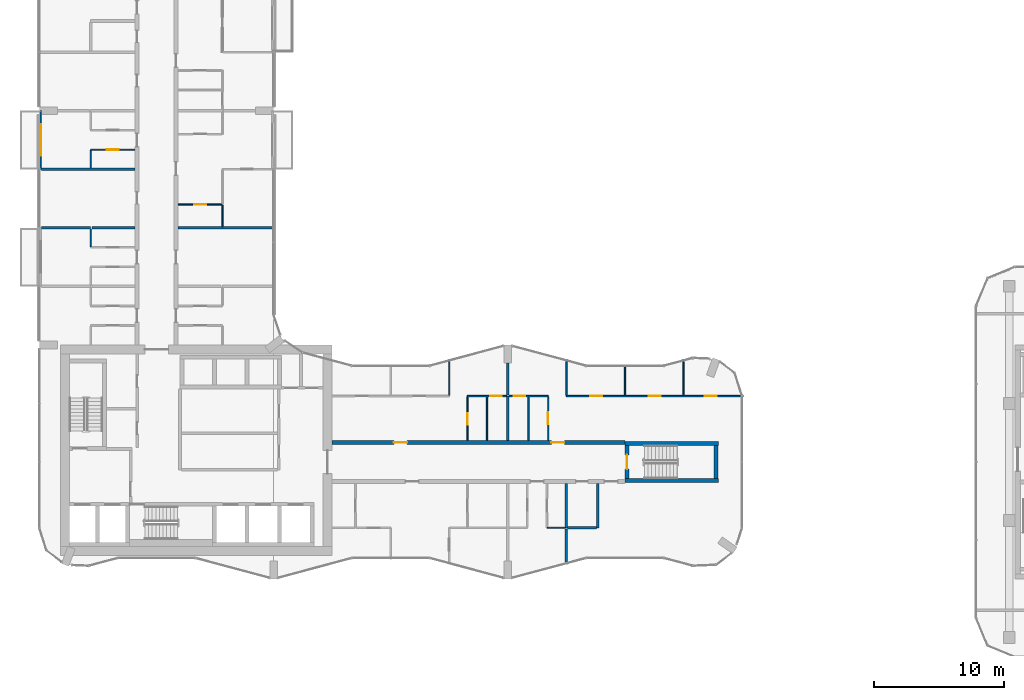
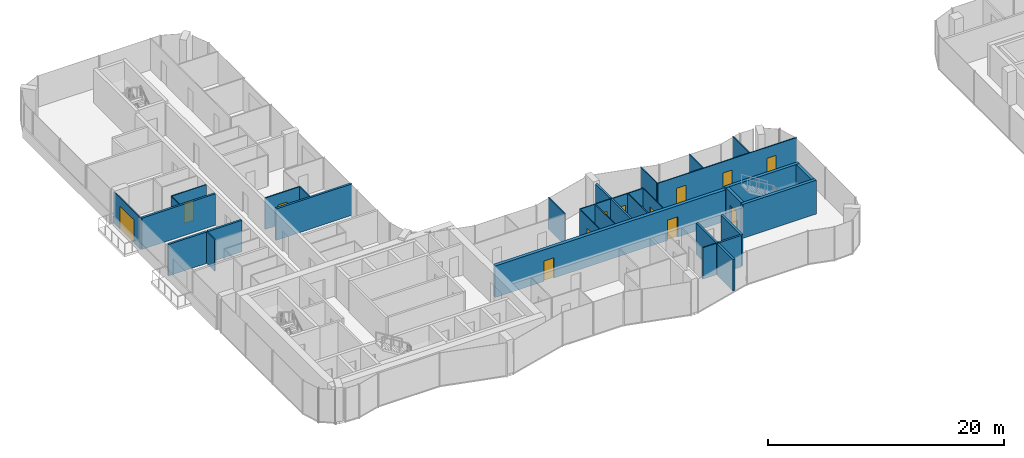
# One storey, part 15 of 23: 33 walls, 13 doors, 13 openings.
"""IFC4 building model written with IfcOpenShell, lengths in metres."""

from ifc_helpers import new_model, si_unit, direction, frame, frame_2d, origin, place, context, subcontext, project, spatial, rectangle, extrude, material, layer, layer_set, type_object, element, fill, save


model = new_model("IFC4")

# Units and contexts
model_context = context("Model", 3, precision=1e-05, world=origin(), true_north=direction((0.0, 1.0)))
body_context = subcontext(model_context, "Body", "Model", "MODEL_VIEW")
ifc_project = project(units=[si_unit("LENGTHUNIT", "METRE"), si_unit("AREAUNIT", "SQUARE_METRE"), si_unit("VOLUMEUNIT", "CUBIC_METRE"), si_unit("PLANEANGLEUNIT", "RADIAN"), si_unit("MASSUNIT", "GRAM", prefix="KILO")], contexts=[model_context])

# Site, building, storey
site_placement = place(None, origin())
site = spatial("IfcSite", under=ifc_project, at=site_placement, CompositionType="ELEMENT")
building_placement = place(site_placement, origin())
building = spatial("IfcBuilding", under=site, at=building_placement, Name="Plateau Cross Towers", CompositionType="ELEMENT")
storey_placement = place(building_placement, frame((0.0, 0.0, 95.800048828125)))
storey = spatial("IfcBuildingStorey", under=building, at=storey_placement, Name="L24", CompositionType="ELEMENT", Elevation=95.800048828125)

# Wall, opening, door
ifc_material_1 = material(Name="Aluminium framed glazing", Category="aluminium")
ifc_layer_1 = layer(ifc_material_1, 0.10009765625)
ifc_layer_set_1 = layer_set([ifc_layer_1], Name="Aluminium framed glazing")
wall_type_1 = type_object("IfcWallType", Name="Balcony screen wall 100", PredefinedType="STANDARD", material=ifc_layer_set_1)
wall_1_placement = place(storey_placement, frame((0.10009765625, 31.5, 0.0), z_axis=(0.0, 0.0, 1.0), x_axis=(0.0, 1.0, 0.0)))
wall_1 = element("IfcWall", 1, at=wall_1_placement, inside=storey, type_object=wall_type_1, Name="Balcony screen wall A-BAL-L24-02", PredefinedType="STANDARD", context=body_context, shape_type="SweptSolid", body=[
    extrude(rectangle(XDim=4.5, YDim=0.10009765625, at=frame_2d((2.25, 0.0))), origin(), (0.0, 0.0, 1.0), 3.25),
])
opening_1_placement = place(wall_1_placement, frame((1.050048828125, 0.0, 0.0)))
opening_1 = element("IfcOpeningElement", 2, at=opening_1_placement, cuts=wall_1, Name="Opening D-B24", PredefinedType="OPENING", context=body_context, shape_type="SweptSolid", body=[
    extrude(rectangle(XDim=2.39990234375, YDim=2.39990234375, at=frame_2d((1.199951171875, 1.199951171875))), frame((0.0, 0.06005859375, 0.0), z_axis=(0.0, -1.0, 0.0), x_axis=(1.0, 0.0, 0.0)), (0.0, 0.0, 1.0), 0.1201171875),
])
ifc_material_2 = material(Name="Aluminium frame, double glazing", Category="aluminium")
door_type_1 = type_object("IfcDoorType", Name="Balcony sliding door 2400", OperationType="NOTDEFINED", PredefinedType="DOOR", material=ifc_material_2)
door_1_placement = place(opening_1_placement, origin())
door_1 = element("IfcDoor", 3, at=door_1_placement, inside=storey, type_object=door_type_1, Name="Balcony door A-BAL-L24-02", OperationType="SINGLE_SWING_LEFT", OverallHeight=2.39990234375, OverallWidth=2.39990234375, PredefinedType="DOOR", context=body_context, shape_type="SweptSolid", body=[
    extrude(rectangle(XDim=2.39990234375, YDim=2.39990234375, at=frame_2d((1.199951171875, 1.199951171875))), frame((0.0, 0.02490234375, 0.0), z_axis=(0.0, -1.0, 0.0), x_axis=(1.0, 0.0, 0.0)), (0.0, 0.0, 1.0), 0.050048828125),
])
fill(opening_1, door_1)

# Wall, openings, doors
ifc_material_3 = material(Name="Concrete C60/75", Category="concrete")
ifc_layer_2 = layer(ifc_material_3, 0.324951171875)
ifc_layer_set_2 = layer_set([ifc_layer_2], Name="Concrete C60/75")
wall_type_2 = type_object("IfcWallType", Name="Corridor wall 325", PredefinedType="SHEAR", material=ifc_layer_set_2)
wall_2_placement = place(storey_placement, frame((22.5, 10.5, 0.0), z_axis=(0.0, 0.0, 1.0), x_axis=(1.0, 0.0, 0.0)))
wall_2 = element("IfcWall", 4, at=wall_2_placement, inside=storey, type_object=wall_type_2, Name="A-cw-S2@L24", PredefinedType="SHEAR", context=body_context, shape_type="SweptSolid", body=[
    extrude(rectangle(XDim=22.5, YDim=0.324951171875, at=frame_2d((11.25, 0.0))), origin(), (0.0, 0.0, 1.0), 3.25),
])
opening_2_placement = place(wall_2_placement, frame((4.75, 0.0, 0.0)))
opening_2 = element("IfcOpeningElement", 5, at=opening_2_placement, cuts=wall_2, Name="Opening 24-05", PredefinedType="OPENING", context=body_context, shape_type="SweptSolid", body=[
    extrude(rectangle(XDim=1.0, YDim=2.10009765625, at=frame_2d((0.5, 1.050048828125))), frame((0.0, 0.17236328125, 0.0), z_axis=(0.0, -1.0, 0.0), x_axis=(1.0, 0.0, 0.0)), (0.0, 0.0, 1.0), 0.344970703125),
])
opening_3_placement = place(wall_2_placement, frame((16.85009765625, 0.0, 0.0)))
opening_3 = element("IfcOpeningElement", 6, at=opening_3_placement, cuts=wall_2, Name="Opening 24-06", PredefinedType="OPENING", context=body_context, shape_type="SweptSolid", body=[
    extrude(rectangle(XDim=1.0, YDim=2.10009765625, at=frame_2d((0.5, 1.050048828125))), frame((0.0, 0.17236328125, 0.0), z_axis=(0.0, -1.0, 0.0), x_axis=(1.0, 0.0, 0.0)), (0.0, 0.0, 1.0), 0.344970703125),
])
ifc_material_4 = material(Name="Timber, fire-resisting leaf", Category="wood")
door_type_2 = type_object("IfcDoorType", Name="Flat entrance door 1000", OperationType="NOTDEFINED", PredefinedType="DOOR", material=ifc_material_4)
door_2_placement = place(opening_2_placement, origin())
door_2 = element("IfcDoor", 7, at=door_2_placement, inside=storey, type_object=door_type_2, Name="Door 24-05", OperationType="SINGLE_SWING_LEFT", OverallHeight=2.10009765625, OverallWidth=1.0, PredefinedType="DOOR", context=body_context, shape_type="SweptSolid", body=[
    extrude(rectangle(XDim=1.0, YDim=2.10009765625, at=frame_2d((0.5, 1.050048828125))), frame((0.0, 0.02490234375, 0.0), z_axis=(0.0, -1.0, 0.0), x_axis=(1.0, 0.0, 0.0)), (0.0, 0.0, 1.0), 0.050048828125),
])
fill(opening_2, door_2)
door_3_placement = place(opening_3_placement, origin())
door_3 = element("IfcDoor", 8, at=door_3_placement, inside=storey, type_object=door_type_2, Name="Door 24-06", OperationType="SINGLE_SWING_RIGHT", OverallHeight=2.10009765625, OverallWidth=1.0, PredefinedType="DOOR", context=body_context, shape_type="SweptSolid", body=[
    extrude(rectangle(XDim=1.0, YDim=2.10009765625, at=frame_2d((0.5, 1.050048828125))), frame((0.0, 0.02490234375, 0.0), z_axis=(0.0, -1.0, 0.0), x_axis=(1.0, 0.0, 0.0)), (0.0, 0.0, 1.0), 0.050048828125),
])
fill(opening_3, door_3)

# Wall
ifc_material_5 = material(Name="Gypsum board on steel studs", Category="steel")
ifc_layer_3 = layer(ifc_material_5, 0.10009765625)
ifc_layer_set_3 = layer_set([ifc_layer_3], Name="Gypsum board on steel studs")
wall_type_3 = type_object("IfcWallType", Name="Flat partition 100", PredefinedType="PARTITIONING", material=ifc_layer_set_3)
wall_3_placement = place(storey_placement, frame((39.050048828125, 3.9375, 0.0), z_axis=(0.0, 0.0, 1.0), x_axis=(1.0, 0.0, 0.0)))
element("IfcWall", 9, at=wall_3_placement, inside=storey, type_object=wall_type_3, Name="Partition wall", PredefinedType="PARTITIONING", context=body_context, shape_type="SweptSolid", body=[
    extrude(rectangle(XDim=1.349853515625, YDim=0.10009765625, at=frame_2d((0.6748046875, 0.0))), origin(), (0.0, 0.0, 1.0), 3.25),
])

# Wall, opening, door
wall_4_placement = place(storey_placement, frame((35.89990234375, 14.0625, 0.0), z_axis=(0.0, 0.0, 1.0), x_axis=(-1.0, 0.0, 0.0)))
wall_4 = element("IfcWall", 10, at=wall_4_placement, inside=storey, type_object=wall_type_3, Name="Partition wall", PredefinedType="PARTITIONING", context=body_context, shape_type="SweptSolid", body=[
    extrude(rectangle(XDim=3.0, YDim=0.10009765625, at=frame_2d((1.5, 0.0))), origin(), (0.0, 0.0, 1.0), 3.25),
])
opening_4_placement = place(wall_4_placement, frame((0.35009765625, 0.0, 0.0)))
opening_4 = element("IfcOpeningElement", 11, at=opening_4_placement, cuts=wall_4, Name="Opening 24-25", PredefinedType="OPENING", context=body_context, shape_type="SweptSolid", body=[
    extrude(rectangle(XDim=0.89990234375, YDim=2.10009765625, at=frame_2d((0.449951171875, 1.050048828125))), frame((0.0, 0.06005859375, 0.0), z_axis=(0.0, -1.0, 0.0), x_axis=(1.0, 0.0, 0.0)), (0.0, 0.0, 1.0), 0.1201171875),
])
ifc_material_6 = material(Name="Timber leaf", Category="wood")
door_type_3 = type_object("IfcDoorType", Name="Flat room door 900", OperationType="NOTDEFINED", PredefinedType="DOOR", material=ifc_material_6)
door_4_placement = place(opening_4_placement, origin())
door_4 = element("IfcDoor", 12, at=door_4_placement, inside=storey, type_object=door_type_3, Name="Door 24-25", OperationType="SINGLE_SWING_LEFT", OverallHeight=2.10009765625, OverallWidth=0.89990234375, PredefinedType="DOOR", context=body_context, shape_type="SweptSolid", body=[
    extrude(rectangle(XDim=0.89990234375, YDim=2.10009765625, at=frame_2d((0.449951171875, 1.050048828125))), frame((0.0, 0.02490234375, 0.0), z_axis=(0.0, -1.0, 0.0), x_axis=(1.0, 0.0, 0.0)), (0.0, 0.0, 1.0), 0.050048828125),
])
fill(opening_4, door_4)

wall_5_placement = place(storey_placement, frame((39.10009765625, 14.0625, 0.0), z_axis=(0.0, 0.0, 1.0), x_axis=(-1.0, 0.0, 0.0)))
wall_5 = element("IfcWall", 13, at=wall_5_placement, inside=storey, type_object=wall_type_3, Name="Partition wall", PredefinedType="PARTITIONING", context=body_context, shape_type="SweptSolid", body=[
    extrude(rectangle(XDim=3.0, YDim=0.10009765625, at=frame_2d((1.5, 0.0))), origin(), (0.0, 0.0, 1.0), 3.25),
])
opening_5_placement = place(wall_5_placement, frame((1.75, 0.0, 0.0)))
opening_5 = element("IfcOpeningElement", 14, at=opening_5_placement, cuts=wall_5, Name="Opening 24-28", PredefinedType="OPENING", context=body_context, shape_type="SweptSolid", body=[
    extrude(rectangle(XDim=0.89990234375, YDim=2.10009765625, at=frame_2d((0.449951171875, 1.050048828125))), frame((0.0, 0.06005859375, 0.0), z_axis=(0.0, -1.0, 0.0), x_axis=(1.0, 0.0, 0.0)), (0.0, 0.0, 1.0), 0.1201171875),
])
door_5_placement = place(opening_5_placement, origin())
door_5 = element("IfcDoor", 15, at=door_5_placement, inside=storey, type_object=door_type_3, Name="Door 24-28", OperationType="SINGLE_SWING_RIGHT", OverallHeight=2.10009765625, OverallWidth=0.89990234375, PredefinedType="DOOR", context=body_context, shape_type="SweptSolid", body=[
    extrude(rectangle(XDim=0.89990234375, YDim=2.10009765625, at=frame_2d((0.449951171875, 1.050048828125))), frame((0.0, 0.02490234375, 0.0), z_axis=(0.0, -1.0, 0.0), x_axis=(1.0, 0.0, 0.0)), (0.0, 0.0, 1.0), 0.050048828125),
])
fill(opening_5, door_5)

# Wall, openings, doors
wall_6_placement = place(storey_placement, frame((40.5, 14.0625, 0.0), z_axis=(0.0, 0.0, 1.0), x_axis=(1.0, 0.0, 0.0)))
wall_6 = element("IfcWall", 16, at=wall_6_placement, inside=storey, type_object=wall_type_3, Name="Partition wall", PredefinedType="PARTITIONING", context=body_context, shape_type="SweptSolid", body=[
    extrude(rectangle(XDim=13.580078125, YDim=0.10009765625, at=frame_2d((6.7900390625, 0.0))), origin(), (0.0, 0.0, 1.0), 3.25),
])
opening_6_placement = place(wall_6_placement, frame((1.85009765625, 0.0, 0.0)))
opening_6 = element("IfcOpeningElement", 17, at=opening_6_placement, cuts=wall_6, Name="Opening 24-30", PredefinedType="OPENING", context=body_context, shape_type="SweptSolid", body=[
    extrude(rectangle(XDim=0.89990234375, YDim=2.10009765625, at=frame_2d((0.449951171875, 1.050048828125))), frame((0.0, 0.06005859375, 0.0), z_axis=(0.0, -1.0, 0.0), x_axis=(1.0, 0.0, 0.0)), (0.0, 0.0, 1.0), 0.1201171875),
])
opening_7_placement = place(wall_6_placement, frame((6.35009765625, 0.0, 0.0)))
opening_7 = element("IfcOpeningElement", 18, at=opening_7_placement, cuts=wall_6, Name="Opening 24-31", PredefinedType="OPENING", context=body_context, shape_type="SweptSolid", body=[
    extrude(rectangle(XDim=0.89990234375, YDim=2.10009765625, at=frame_2d((0.449951171875, 1.050048828125))), frame((0.0, 0.06005859375, 0.0), z_axis=(0.0, -1.0, 0.0), x_axis=(1.0, 0.0, 0.0)), (0.0, 0.0, 1.0), 0.1201171875),
])
opening_8_placement = place(wall_6_placement, frame((10.64990234375, 0.0, 0.0)))
opening_8 = element("IfcOpeningElement", 19, at=opening_8_placement, cuts=wall_6, Name="Opening 24-32", PredefinedType="OPENING", context=body_context, shape_type="SweptSolid", body=[
    extrude(rectangle(XDim=0.89990234375, YDim=2.10009765625, at=frame_2d((0.449951171875, 1.050048828125))), frame((0.0, 0.06005859375, 0.0), z_axis=(0.0, -1.0, 0.0), x_axis=(1.0, 0.0, 0.0)), (0.0, 0.0, 1.0), 0.1201171875),
])
door_6_placement = place(opening_6_placement, origin())
door_6 = element("IfcDoor", 20, at=door_6_placement, inside=storey, type_object=door_type_3, Name="Door 24-30", OperationType="SINGLE_SWING_LEFT", OverallHeight=2.10009765625, OverallWidth=0.89990234375, PredefinedType="DOOR", context=body_context, shape_type="SweptSolid", body=[
    extrude(rectangle(XDim=0.89990234375, YDim=2.10009765625, at=frame_2d((0.449951171875, 1.050048828125))), frame((0.0, 0.02490234375, 0.0), z_axis=(0.0, -1.0, 0.0), x_axis=(1.0, 0.0, 0.0)), (0.0, 0.0, 1.0), 0.050048828125),
])
fill(opening_6, door_6)
door_7_placement = place(opening_7_placement, origin())
door_7 = element("IfcDoor", 21, at=door_7_placement, inside=storey, type_object=door_type_3, Name="Door 24-31", OperationType="SINGLE_SWING_RIGHT", OverallHeight=2.10009765625, OverallWidth=0.89990234375, PredefinedType="DOOR", context=body_context, shape_type="SweptSolid", body=[
    extrude(rectangle(XDim=0.89990234375, YDim=2.10009765625, at=frame_2d((0.449951171875, 1.050048828125))), frame((0.0, 0.02490234375, 0.0), z_axis=(0.0, -1.0, 0.0), x_axis=(1.0, 0.0, 0.0)), (0.0, 0.0, 1.0), 0.050048828125),
])
fill(opening_7, door_7)
door_8_placement = place(opening_8_placement, origin())
door_8 = element("IfcDoor", 22, at=door_8_placement, inside=storey, type_object=door_type_3, Name="Door 24-32", OperationType="SINGLE_SWING_RIGHT", OverallHeight=2.10009765625, OverallWidth=0.89990234375, PredefinedType="DOOR", context=body_context, shape_type="SweptSolid", body=[
    extrude(rectangle(XDim=0.89990234375, YDim=2.10009765625, at=frame_2d((0.449951171875, 1.050048828125))), frame((0.0, 0.02490234375, 0.0), z_axis=(0.0, -1.0, 0.0), x_axis=(1.0, 0.0, 0.0)), (0.0, 0.0, 1.0), 0.050048828125),
])
fill(opening_8, door_8)

# Wall, opening, door
wall_7_placement = place(storey_placement, frame((14.0625, 28.800048828125, 0.0), z_axis=(0.0, 0.0, 1.0), x_axis=(-1.0, 0.0, 0.0)))
wall_7 = element("IfcWall", 23, at=wall_7_placement, inside=storey, type_object=wall_type_3, Name="Partition wall", PredefinedType="PARTITIONING", context=body_context, shape_type="SweptSolid", body=[
    extrude(rectangle(XDim=3.39990234375, YDim=0.10009765625, at=frame_2d((1.699951171875, 0.0))), origin(), (0.0, 0.0, 1.0), 3.25),
])
opening_9_placement = place(wall_7_placement, frame((1.25, 0.0, 0.0)))
opening_9 = element("IfcOpeningElement", 24, at=opening_9_placement, cuts=wall_7, Name="Opening 24-41", PredefinedType="OPENING", context=body_context, shape_type="SweptSolid", body=[
    extrude(rectangle(XDim=0.89990234375, YDim=2.10009765625, at=frame_2d((0.449951171875, 1.050048828125))), frame((0.0, 0.06005859375, 0.0), z_axis=(0.0, -1.0, 0.0), x_axis=(1.0, 0.0, 0.0)), (0.0, 0.0, 1.0), 0.1201171875),
])
door_9_placement = place(opening_9_placement, origin())
door_9 = element("IfcDoor", 25, at=door_9_placement, inside=storey, type_object=door_type_3, Name="Door 24-41", OperationType="SINGLE_SWING_LEFT", OverallHeight=2.10009765625, OverallWidth=0.89990234375, PredefinedType="DOOR", context=body_context, shape_type="SweptSolid", body=[
    extrude(rectangle(XDim=0.89990234375, YDim=2.10009765625, at=frame_2d((0.449951171875, 1.050048828125))), frame((0.0, 0.02490234375, 0.0), z_axis=(0.0, -1.0, 0.0), x_axis=(1.0, 0.0, 0.0)), (0.0, 0.0, 1.0), 0.050048828125),
])
fill(opening_9, door_9)

wall_8_placement = place(storey_placement, frame((7.33740234375, 33.0, 0.0), z_axis=(0.0, 0.0, 1.0), x_axis=(-1.0, 0.0, 0.0)))
wall_8 = element("IfcWall", 26, at=wall_8_placement, inside=storey, type_object=wall_type_3, Name="Partition wall", PredefinedType="PARTITIONING", context=body_context, shape_type="SweptSolid", body=[
    extrude(rectangle(XDim=3.39990234375, YDim=0.10009765625, at=frame_2d((1.699951171875, 0.0))), origin(), (0.0, 0.0, 1.0), 3.25),
])
opening_10_placement = place(wall_8_placement, frame((1.25, 0.0, 0.0)))
opening_10 = element("IfcOpeningElement", 27, at=opening_10_placement, cuts=wall_8, Name="Opening 24-37", PredefinedType="OPENING", context=body_context, shape_type="SweptSolid", body=[
    extrude(rectangle(XDim=0.89990234375, YDim=2.10009765625, at=frame_2d((0.449951171875, 1.050048828125))), frame((0.0, 0.06005859375, 0.0), z_axis=(0.0, -1.0, 0.0), x_axis=(1.0, 0.0, 0.0)), (0.0, 0.0, 1.0), 0.1201171875),
])
door_10_placement = place(opening_10_placement, origin())
door_10 = element("IfcDoor", 28, at=door_10_placement, inside=storey, type_object=door_type_3, Name="Door 24-37", OperationType="SINGLE_SWING_LEFT", OverallHeight=2.10009765625, OverallWidth=0.89990234375, PredefinedType="DOOR", context=body_context, shape_type="SweptSolid", body=[
    extrude(rectangle(XDim=0.89990234375, YDim=2.10009765625, at=frame_2d((0.449951171875, 1.050048828125))), frame((0.0, 0.02490234375, 0.0), z_axis=(0.0, -1.0, 0.0), x_axis=(1.0, 0.0, 0.0)), (0.0, 0.0, 1.0), 0.050048828125),
])
fill(opening_10, door_10)

# Walls
for number, where, z_axis, x_axis, name in (
    (29, (3.9375, 26.89990234375, 0.0), (0.0, 0.0, 1.0), (0.0, -1.0, 0.0), "Partition wall"),
    (30, (3.9375, 32.949951171875, 0.0), (0.0, 0.0, 1.0), (0.0, -1.0, 0.0), "Partition wall"),
):
    element("IfcWall", number, at=place(storey_placement, frame(where, z_axis=z_axis, x_axis=x_axis)), inside=storey, type_object=wall_type_3, Name=name, PredefinedType="PARTITIONING", context=body_context, shape_type="SweptSolid", body=[
        extrude(rectangle(XDim=1.349853515625, YDim=0.10009765625, at=frame_2d((0.6748046875, 0.0))), origin(), (0.0, 0.0, 1.0), 3.25),
    ])
wall_9_placement = place(storey_placement, frame((14.0625, 27.10009765625, 0.0), z_axis=(0.0, 0.0, 1.0), x_axis=(0.0, 1.0, 0.0)))
element("IfcWall", 31, at=wall_9_placement, inside=storey, type_object=wall_type_3, Name="Partition wall", PredefinedType="PARTITIONING", context=body_context, shape_type="SweptSolid", body=[
    extrude(rectangle(XDim=1.64990234375, YDim=0.10009765625, at=frame_2d((0.824951171875, 0.0))), origin(), (0.0, 0.0, 1.0), 3.25),
])
wall_10_placement = place(storey_placement, frame((31.5, 14.112548828125, 0.0), z_axis=(0.0, 0.0, 1.0), x_axis=(0.0, 1.0, 0.0)))
element("IfcWall", 32, at=wall_10_placement, inside=storey, type_object=wall_type_3, Name="Partition wall", PredefinedType="PARTITIONING", context=body_context, shape_type="SweptSolid", body=[
    extrude(rectangle(XDim=2.76513671875, YDim=0.10009765625, at=frame_2d((1.382568359375, 0.0))), origin(), (0.0, 0.0, 1.0), 3.25),
])

# Wall, opening, door
wall_11_placement = place(storey_placement, frame((32.89990234375, 14.012451171875, 0.0), z_axis=(0.0, 0.0, 1.0), x_axis=(0.0, -1.0, 0.0)))
wall_11 = element("IfcWall", 33, at=wall_11_placement, inside=storey, type_object=wall_type_3, Name="Partition wall", PredefinedType="PARTITIONING", context=body_context, shape_type="SweptSolid", body=[
    extrude(rectangle(XDim=3.349853515625, YDim=0.10009765625, at=frame_2d((1.6748046875, 0.0))), origin(), (0.0, 0.0, 1.0), 3.25),
])
opening_11_placement = place(wall_11_placement, frame((1.25, 0.0, 0.0)))
opening_11 = element("IfcOpeningElement", 34, at=opening_11_placement, cuts=wall_11, Name="Opening 24-24", PredefinedType="OPENING", context=body_context, shape_type="SweptSolid", body=[
    extrude(rectangle(XDim=0.89990234375, YDim=2.10009765625, at=frame_2d((0.449951171875, 1.050048828125))), frame((0.0, 0.06005859375, 0.0), z_axis=(0.0, -1.0, 0.0), x_axis=(1.0, 0.0, 0.0)), (0.0, 0.0, 1.0), 0.1201171875),
])
door_11_placement = place(opening_11_placement, origin())
door_11 = element("IfcDoor", 35, at=door_11_placement, inside=storey, type_object=door_type_3, Name="Door 24-24", OperationType="SINGLE_SWING_RIGHT", OverallHeight=2.10009765625, OverallWidth=0.89990234375, PredefinedType="DOOR", context=body_context, shape_type="SweptSolid", body=[
    extrude(rectangle(XDim=0.89990234375, YDim=2.10009765625, at=frame_2d((0.449951171875, 1.050048828125))), frame((0.0, 0.02490234375, 0.0), z_axis=(0.0, -1.0, 0.0), x_axis=(1.0, 0.0, 0.0)), (0.0, 0.0, 1.0), 0.050048828125),
])
fill(opening_11, door_11)

# Walls
for number, where, z_axis, x_axis, name in (
    (36, (34.39990234375, 10.66259765625, 0.0), (0.0, 0.0, 1.0), (0.0, 1.0, 0.0), "Partition wall"),
    (37, (37.60009765625, 10.66259765625, 0.0), (0.0, 0.0, 1.0), (0.0, 1.0, 0.0), "Partition wall"),
):
    element("IfcWall", number, at=place(storey_placement, frame(where, z_axis=z_axis, x_axis=x_axis)), inside=storey, type_object=wall_type_3, Name=name, PredefinedType="PARTITIONING", context=body_context, shape_type="SweptSolid", body=[
        extrude(rectangle(XDim=3.349853515625, YDim=0.10009765625, at=frame_2d((1.6748046875, 0.0))), origin(), (0.0, 0.0, 1.0), 3.25),
    ])

# Wall, opening, door
wall_12_placement = place(storey_placement, frame((39.10009765625, 10.66259765625, 0.0), z_axis=(0.0, 0.0, 1.0), x_axis=(0.0, 1.0, 0.0)))
wall_12 = element("IfcWall", 38, at=wall_12_placement, inside=storey, type_object=wall_type_3, Name="Partition wall", PredefinedType="PARTITIONING", context=body_context, shape_type="SweptSolid", body=[
    extrude(rectangle(XDim=3.349853515625, YDim=0.10009765625, at=frame_2d((1.6748046875, 0.0))), origin(), (0.0, 0.0, 1.0), 3.25),
])
opening_12_placement = place(wall_12_placement, frame((1.25, 0.0, 0.0)))
opening_12 = element("IfcOpeningElement", 39, at=opening_12_placement, cuts=wall_12, Name="Opening 24-29", PredefinedType="OPENING", context=body_context, shape_type="SweptSolid", body=[
    extrude(rectangle(XDim=0.89990234375, YDim=2.10009765625, at=frame_2d((0.449951171875, 1.050048828125))), frame((0.0, 0.06005859375, 0.0), z_axis=(0.0, -1.0, 0.0), x_axis=(1.0, 0.0, 0.0)), (0.0, 0.0, 1.0), 0.1201171875),
])
door_12_placement = place(opening_12_placement, origin())
door_12 = element("IfcDoor", 40, at=door_12_placement, inside=storey, type_object=door_type_3, Name="Door 24-29", OperationType="SINGLE_SWING_RIGHT", OverallHeight=2.10009765625, OverallWidth=0.89990234375, PredefinedType="DOOR", context=body_context, shape_type="SweptSolid", body=[
    extrude(rectangle(XDim=0.89990234375, YDim=2.10009765625, at=frame_2d((0.449951171875, 1.050048828125))), frame((0.0, 0.02490234375, 0.0), z_axis=(0.0, -1.0, 0.0), x_axis=(1.0, 0.0, 0.0)), (0.0, 0.0, 1.0), 0.050048828125),
])
fill(opening_12, door_12)

# Walls
wall_13_placement = place(storey_placement, frame((40.5, 16.877685546875, 0.0), z_axis=(0.0, 0.0, 1.0), x_axis=(0.0, -1.0, 0.0)))
element("IfcWall", 41, at=wall_13_placement, inside=storey, type_object=wall_type_3, Name="Partition wall", PredefinedType="PARTITIONING", context=body_context, shape_type="SweptSolid", body=[
    extrude(rectangle(XDim=2.76513671875, YDim=0.10009765625, at=frame_2d((1.382568359375, 0.0))), origin(), (0.0, 0.0, 1.0), 3.25),
])
wall_14_placement = place(storey_placement, frame((45.0, 14.112548828125, 0.0), z_axis=(0.0, 0.0, 1.0), x_axis=(0.0, 1.0, 0.0)))
element("IfcWall", 42, at=wall_14_placement, inside=storey, type_object=wall_type_3, Name="Partition wall", PredefinedType="PARTITIONING", context=body_context, shape_type="SweptSolid", body=[
    extrude(rectangle(XDim=2.360595703125, YDim=0.10009765625, at=frame_2d((1.18017578125, 0.0))), origin(), (0.0, 0.0, 1.0), 3.25),
])
wall_15_placement = place(storey_placement, frame((49.5, 14.112548828125, 0.0), z_axis=(0.0, 0.0, 1.0), x_axis=(0.0, 1.0, 0.0)))
element("IfcWall", 43, at=wall_15_placement, inside=storey, type_object=wall_type_3, Name="Partition wall", PredefinedType="PARTITIONING", context=body_context, shape_type="SweptSolid", body=[
    extrude(rectangle(XDim=2.76513671875, YDim=0.10009765625, at=frame_2d((1.382568359375, 0.0))), origin(), (0.0, 0.0, 1.0), 3.25),
])
ifc_material_7 = material(Name="Gypsum board on steel studs, two layers each side", Category="steel")
ifc_layer_4 = layer(ifc_material_7, 0.199951171875)
ifc_layer_set_4 = layer_set([ifc_layer_4], Name="Gypsum board on steel studs, two layers each side")
wall_type_4 = type_object("IfcWallType", Name="Flat party wall 200", PredefinedType="PARTITIONING", material=ifc_layer_set_4)
wall_16_placement = place(storey_placement, frame((40.60009765625, 3.9375, 0.0), z_axis=(0.0, 0.0, 1.0), x_axis=(1.0, 0.0, 0.0)))
element("IfcWall", 44, at=wall_16_placement, inside=storey, type_object=wall_type_4, Name="Party wall", PredefinedType="PARTITIONING", context=body_context, shape_type="SweptSolid", body=[
    extrude(rectangle(XDim=2.199951171875, YDim=0.199951171875, at=frame_2d((1.10009765625, 0.0))), origin(), (0.0, 0.0, 1.0), 3.25),
])
wall_17_placement = place(storey_placement, frame((7.33740234375, 27.0, 0.0), z_axis=(0.0, 0.0, 1.0), x_axis=(-1.0, 0.0, 0.0)))
element("IfcWall", 45, at=wall_17_placement, inside=storey, type_object=wall_type_4, Name="Party wall", PredefinedType="PARTITIONING", context=body_context, shape_type="SweptSolid", body=[
    extrude(rectangle(XDim=3.2998046875, YDim=0.199951171875, at=frame_2d((1.64990234375, 0.0))), origin(), (0.0, 0.0, 1.0), 3.25),
])
wall_18_placement = place(storey_placement, frame((18.080078125, 27.0, 0.0), z_axis=(0.0, 0.0, 1.0), x_axis=(-1.0, 0.0, 0.0)))
element("IfcWall", 46, at=wall_18_placement, inside=storey, type_object=wall_type_4, Name="Party wall", PredefinedType="PARTITIONING", context=body_context, shape_type="SweptSolid", body=[
    extrude(rectangle(XDim=7.41748046875, YDim=0.199951171875, at=frame_2d((3.708740234375, 0.0))), origin(), (0.0, 0.0, 1.0), 3.25),
])
wall_19_placement = place(storey_placement, frame((0.14990234375, 27.0, 0.0), z_axis=(0.0, 0.0, 1.0), x_axis=(1.0, 0.0, 0.0)))
element("IfcWall", 47, at=wall_19_placement, inside=storey, type_object=wall_type_4, Name="Party wall", PredefinedType="PARTITIONING", context=body_context, shape_type="SweptSolid", body=[
    extrude(rectangle(XDim=3.78759765625, YDim=0.199951171875, at=frame_2d((1.893798828125, 0.0))), origin(), (0.0, 0.0, 1.0), 3.25),
])
wall_20_placement = place(storey_placement, frame((7.33740234375, 31.5, 0.0), z_axis=(0.0, 0.0, 1.0), x_axis=(-1.0, 0.0, 0.0)))
element("IfcWall", 48, at=wall_20_placement, inside=storey, type_object=wall_type_4, Name="Party wall", PredefinedType="PARTITIONING", context=body_context, shape_type="SweptSolid", body=[
    extrude(rectangle(XDim=7.1875, YDim=0.199951171875, at=frame_2d((3.59375, 0.0))), origin(), (0.0, 0.0, 1.0), 3.25),
])
wall_21_placement = place(storey_placement, frame((36.0, 16.60009765625, 0.0), z_axis=(0.0, 0.0, 1.0), x_axis=(0.0, -1.0, 0.0)))
element("IfcWall", 49, at=wall_21_placement, inside=storey, type_object=wall_type_4, Name="Party wall", PredefinedType="PARTITIONING", context=body_context, shape_type="SweptSolid", body=[
    extrude(rectangle(XDim=2.4375, YDim=0.199951171875, at=frame_2d((1.21875, 0.0))), origin(), (0.0, 0.0, 1.0), 3.25),
])
wall_22_placement = place(storey_placement, frame((36.0, 10.66259765625, 0.0), z_axis=(0.0, 0.0, 1.0), x_axis=(0.0, 1.0, 0.0)))
element("IfcWall", 50, at=wall_22_placement, inside=storey, type_object=wall_type_4, Name="Party wall", PredefinedType="PARTITIONING", context=body_context, shape_type="SweptSolid", body=[
    extrude(rectangle(XDim=3.39990234375, YDim=0.199951171875, at=frame_2d((1.699951171875, 0.0))), origin(), (0.0, 0.0, 1.0), 3.25),
])
wall_23_placement = place(storey_placement, frame((40.5, 3.83740234375, 0.0), z_axis=(0.0, 0.0, 1.0), x_axis=(0.0, -1.0, 0.0)))
element("IfcWall", 51, at=wall_23_placement, inside=storey, type_object=wall_type_4, Name="Party wall", PredefinedType="PARTITIONING", context=body_context, shape_type="SweptSolid", body=[
    extrude(rectangle(XDim=2.715087890625, YDim=0.199951171875, at=frame_2d((1.357421875, 0.0))), origin(), (0.0, 0.0, 1.0), 3.25),
])
for number, where, z_axis, x_axis, name in (
    (52, (40.5, 3.9375, 0.0), (0.0, 0.0, 1.0), (0.0, 1.0, 0.0), "Party wall"),
    (53, (42.89990234375, 3.9375, 0.0), (0.0, 0.0, 1.0), (0.0, 1.0, 0.0), "Party wall"),
):
    element("IfcWall", number, at=place(storey_placement, frame(where, z_axis=z_axis, x_axis=x_axis)), inside=storey, type_object=wall_type_4, Name=name, PredefinedType="PARTITIONING", context=body_context, shape_type="SweptSolid", body=[
        extrude(rectangle(XDim=3.39990234375, YDim=0.199951171875, at=frame_2d((1.699951171875, 0.0))), origin(), (0.0, 0.0, 1.0), 3.25),
    ])

# Wall, opening, door
ifc_layer_5 = layer(ifc_material_3, 0.300048828125)
ifc_layer_set_5 = layer_set([ifc_layer_5], Name="Concrete C60/75")
wall_type_5 = type_object("IfcWallType", Name="Stair tower wall 300", PredefinedType="SHEAR", material=ifc_layer_set_5)
wall_24_placement = place(storey_placement, frame((45.14990234375, 7.72509765625, 0.0), z_axis=(0.0, 0.0, 1.0), x_axis=(0.0, 1.0, 0.0)))
wall_24 = element("IfcWall", 54, at=wall_24_placement, inside=storey, type_object=wall_type_5, Name="A-end-E-W@L24", PredefinedType="SHEAR", context=body_context, shape_type="SweptSolid", body=[
    extrude(rectangle(XDim=2.5498046875, YDim=0.300048828125, at=frame_2d((1.27490234375, 0.0))), origin(), (0.0, 0.0, 1.0), 3.5),
])
opening_13_placement = place(wall_24_placement, frame((0.72509765625, 0.0, 0.0)))
opening_13 = element("IfcOpeningElement", 55, at=opening_13_placement, cuts=wall_24, Name="Opening SD", PredefinedType="OPENING", context=body_context, shape_type="SweptSolid", body=[
    extrude(rectangle(XDim=1.10009765625, YDim=2.10009765625, at=frame_2d((0.550048828125, 1.050048828125))), frame((0.0, 0.159912109375, 0.0), z_axis=(0.0, -1.0, 0.0), x_axis=(1.0, 0.0, 0.0)), (0.0, 0.0, 1.0), 0.320068359375),
])
ifc_material_8 = material(Name="Steel, fire-resisting leaf", Category="steel")
door_type_4 = type_object("IfcDoorType", Name="Stair door 1100", OperationType="NOTDEFINED", PredefinedType="DOOR", material=ifc_material_8)
door_13_placement = place(opening_13_placement, origin())
door_13 = element("IfcDoor", 56, at=door_13_placement, inside=storey, type_object=door_type_4, Name="Stair door SD", OperationType="SINGLE_SWING_LEFT", OverallHeight=2.10009765625, OverallWidth=1.10009765625, PredefinedType="DOOR", context=body_context, shape_type="SweptSolid", body=[
    extrude(rectangle(XDim=1.10009765625, YDim=2.10009765625, at=frame_2d((0.550048828125, 1.050048828125))), frame((0.0, 0.02490234375, 0.0), z_axis=(0.0, -1.0, 0.0), x_axis=(1.0, 0.0, 0.0)), (0.0, 0.0, 1.0), 0.050048828125),
])
fill(opening_13, door_13)

# Walls
wall_25_placement = place(storey_placement, frame((52.0, 7.72509765625, 0.0), z_axis=(0.0, 0.0, 1.0), x_axis=(0.0, 1.0, 0.0)))
element("IfcWall", 57, at=wall_25_placement, inside=storey, type_object=wall_type_5, Name="A-end-E-E@L24", PredefinedType="SHEAR", context=body_context, shape_type="SweptSolid", body=[
    extrude(rectangle(XDim=2.5498046875, YDim=0.300048828125, at=frame_2d((1.27490234375, 0.0))), origin(), (0.0, 0.0, 1.0), 3.5),
])
for number, where, z_axis, x_axis, name in (
    (58, (45.0, 7.574951171875, 0.0), (0.0, 0.0, 1.0), (1.0, 0.0, 0.0), "A-end-E-S@L24"),
    (59, (45.0, 10.425048828125, 0.0), (0.0, 0.0, 1.0), (1.0, 0.0, 0.0), "A-end-E-N@L24"),
):
    element("IfcWall", number, at=place(storey_placement, frame(where, z_axis=z_axis, x_axis=x_axis)), inside=storey, type_object=wall_type_5, Name=name, PredefinedType="SHEAR", context=body_context, shape_type="SweptSolid", body=[
        extrude(rectangle(XDim=7.199951171875, YDim=0.300048828125, at=frame_2d((3.60009765625, 0.0))), origin(), (0.0, 0.0, 1.0), 3.5),
    ])

save(model, "model.ifc")
